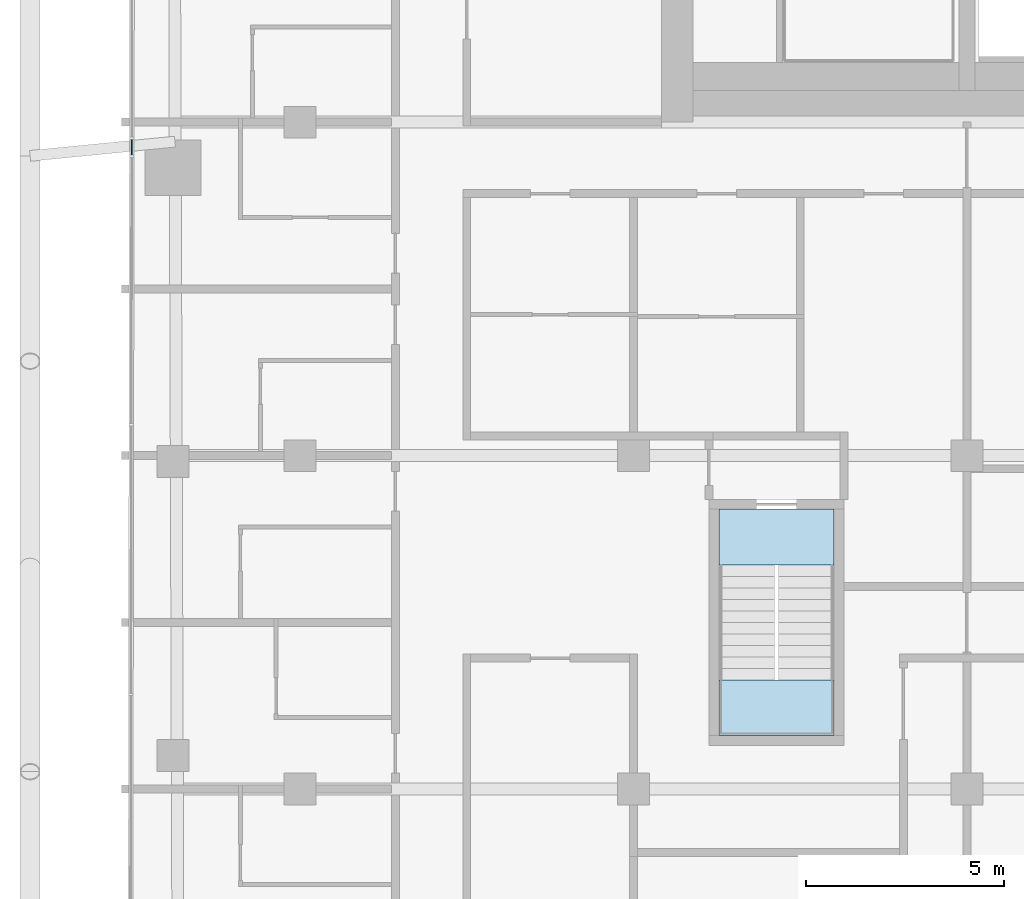
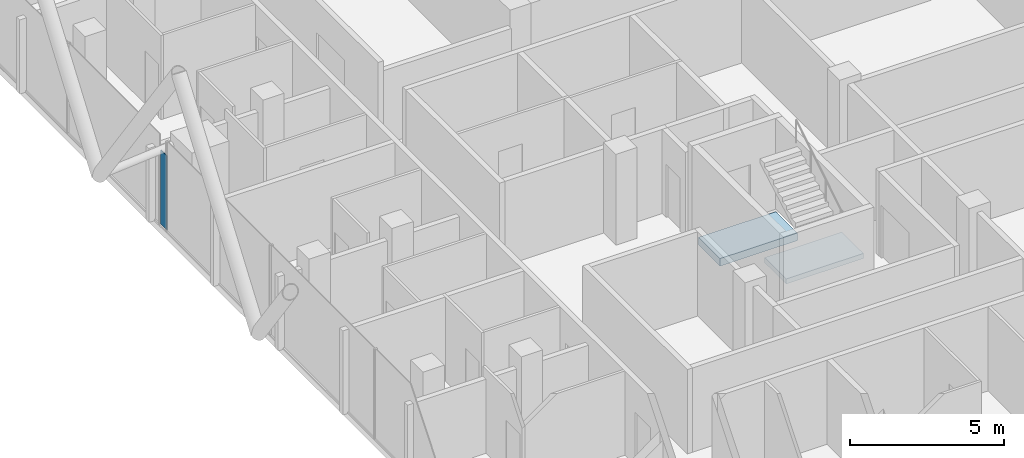
# One storey, part 16 of 31: 2 slabs, 1 plate, 2 elements without a shape of their own.
"""IFC4 building model written with IfcOpenShell, lengths in metres."""

from ifc_helpers import new_model, si_unit, direction, frame, origin, origin_2d, place, context, subcontext, project, spatial, polyline, rectangle, outline, extrude, material, layer, layer_set, type_object, element, aggregate, save


model = new_model("IFC4")

# Units and contexts
model_context = context("Model", 3, precision=1e-05, world=origin(), true_north=direction((0.0, 1.0)))
body_context = subcontext(model_context, "Body", "Model", "MODEL_VIEW")
ifc_project = project(units=[si_unit("LENGTHUNIT", "METRE"), si_unit("AREAUNIT", "SQUARE_METRE"), si_unit("VOLUMEUNIT", "CUBIC_METRE"), si_unit("PLANEANGLEUNIT", "RADIAN"), si_unit("MASSUNIT", "GRAM", prefix="KILO")], contexts=[model_context])

# Site, building, storey
site_placement = place(None, origin())
site = spatial("IfcSite", under=ifc_project, at=site_placement, CompositionType="ELEMENT")
building_placement = place(site_placement, origin())
building = spatial("IfcBuilding", under=site, at=building_placement, Name="Marenta Gate Hotel Tower", CompositionType="ELEMENT")
storey_placement = place(building_placement, frame((0.0, 0.0, 220.10009765625)))
storey = spatial("IfcBuildingStorey", under=building, at=storey_placement, Name="L51", CompositionType="ELEMENT", Elevation=220.10009765625)

# Curtain wall, plate
ifc_material_1 = material(Name="Tinted insulated glass in bronze anodised frame", Category="glass")
ifc_layer_1 = layer(ifc_material_1, 0.1201171875)
ifc_layer_set_1 = layer_set([ifc_layer_1], Name="Tinted insulated glass in bronze anodised frame")
curtain_wall_type = type_object("IfcCurtainWallType", Name="Tower unitised curtain wall CW1", PredefinedType="NOTDEFINED", material=ifc_layer_set_1)
curtain_wall_placement = place(storey_placement, origin())
curtain_wall = element("IfcCurtainWall", 1, at=curtain_wall_placement, inside=storey, type_object=curtain_wall_type, Name="CW1 run G07", PredefinedType="NOTDEFINED")
ifc_material_2 = material(Name="Tinted insulated glass", Category="glass")
ifc_layer_2 = layer(ifc_material_2, 0.028076171875)
ifc_layer_set_2 = layer_set([ifc_layer_2], Name="Tinted insulated glass")
plate_type = type_object("IfcPlateType", Name="Glass panel CW1 28 mm tinted insulated unit", PredefinedType="CURTAIN_PANEL", material=ifc_layer_set_2)
plate_placement = place(storey_placement, frame((-25.24072265625, -0.6279296875, 0.06005859375), z_axis=(0.0, 0.0, 1.0), x_axis=(-0.001537783778, -0.99999881761, 0.0)))
plate = element("IfcPlate", 2, at=plate_placement, type_object=plate_type, Name="CW1 panel 1.1", PredefinedType="CURTAIN_PANEL", context=body_context, shape_type="SweptSolid", body=[
    extrude(rectangle(XDim=0.395263671875, YDim=0.028076171875, at=origin_2d()), origin(), (0.0, 0.0, 1.0), 2.9404296875),
])
aggregate(curtain_wall, [plate])

# Stair, slab
ifc_material_3 = material(Name="Concrete C40", Category="concrete")
stair_type = type_object("IfcStairType", Name="Remote exit stair 1400 wide", PredefinedType="HALF_TURN_STAIR", material=ifc_material_3)
stair_placement = place(storey_placement, origin())
stair = element("IfcStair", 3, at=stair_placement, inside=storey, type_object=stair_type, Name="Exit stair RS-Z3-1", PredefinedType="HALF_TURN_STAIR")
ifc_material_4 = material(Name="Concrete C40", Category="concrete")
ifc_layer_3 = layer(ifc_material_4, 0.199951171875)
ifc_layer_set_3 = layer_set([ifc_layer_3], Name="Concrete C40")
slab_type_1 = type_object("IfcSlabType", Name="Remote stair landing 200", PredefinedType="LANDING", material=ifc_layer_set_3)
slab_1_placement = place(storey_placement, frame((0.0, 0.0, 1.599853515625)))
slab_1 = element("IfcSlab", 4, at=slab_1_placement, type_object=slab_type_1, Name="RL-200 RS-Z3-1 landing 1", PredefinedType="LANDING", context=body_context, shape_type="SweptSolid", body=[
    extrude(outline(polyline([(-10.449951171875, -15.449951171875), (-7.550048828125, -15.449951171875), (-7.550048828125, -14.050048828125), (-10.449951171875, -14.050048828125), (-10.449951171875, -15.449951171875)])), origin(), (0.0, 0.0, 1.0), 0.199951171875),
])
aggregate(stair, [slab_1])

# Slab
ifc_material_5 = material(Name="Concrete C40", Category="concrete")
ifc_layer_4 = layer(ifc_material_5, 0.300048828125)
ifc_layer_set_4 = layer_set([ifc_layer_4], Name="Concrete C40")
slab_type_2 = type_object("IfcSlabType", Name="Stair floor landing slab 300", PredefinedType="FLOOR", material=ifc_layer_set_4)
slab_2_placement = place(storey_placement, frame((0.0, 0.0, -0.300048828125)))
element("IfcSlab", 5, at=slab_2_placement, inside=storey, type_object=slab_type_2, Name="L51-RS-Z3-1-CL", PredefinedType="FLOOR", context=body_context, shape_type="SweptSolid", body=[
    extrude(outline(polyline([(-7.550048828125, -11.14990234375), (-7.550048828125, -9.75), (-10.449951171875, -9.75), (-10.449951171875, -11.14990234375), (-7.550048828125, -11.14990234375)])), origin(), (0.0, 0.0, 1.0), 0.300048828125),
])

save(model, "model.ifc")
